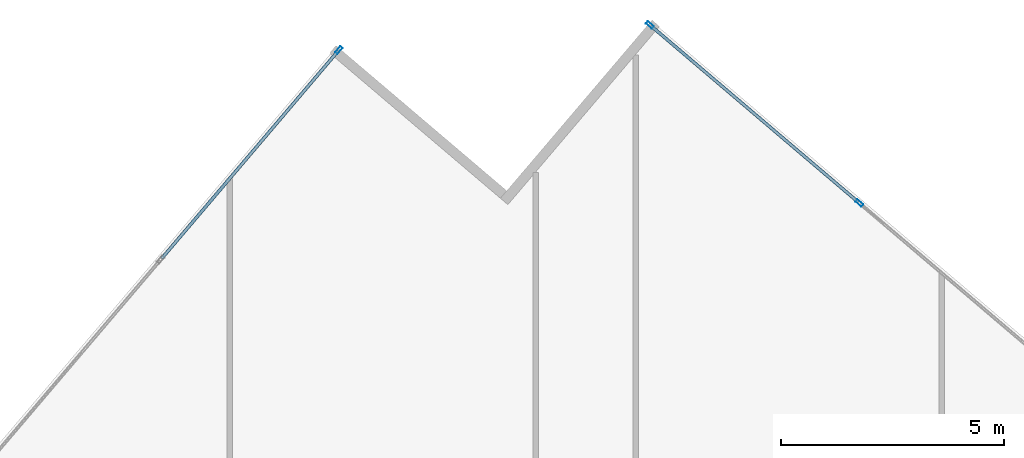
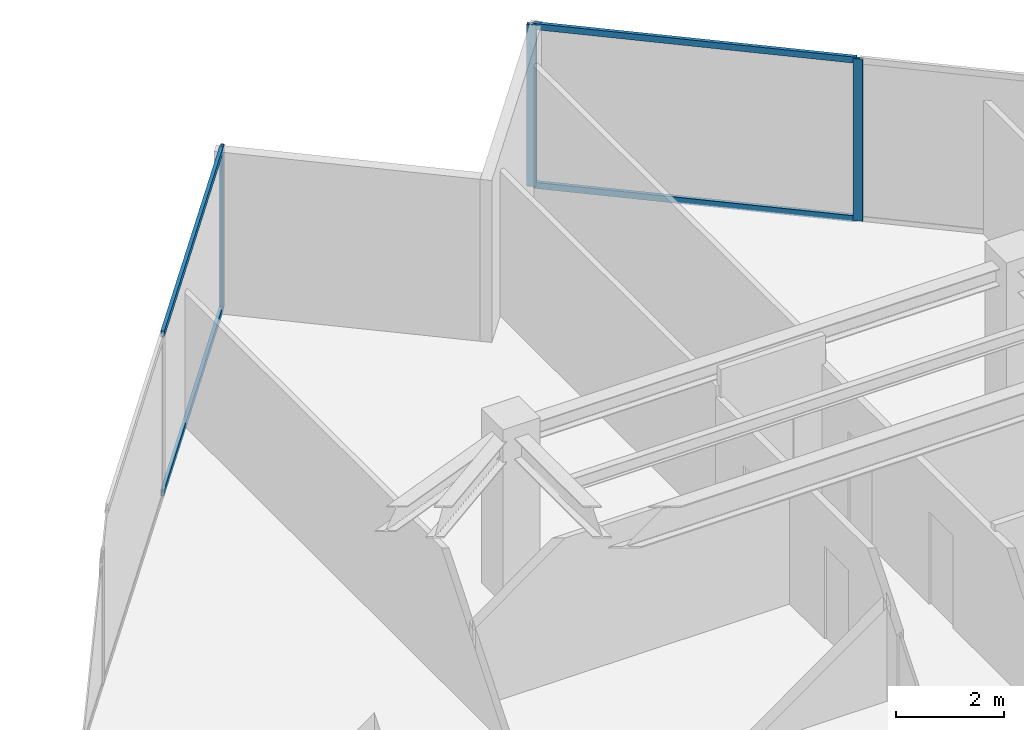
# One storey, part 18 of 25: 7 members, 2 elements without a shape of their own.
"""IFC4 building model written with IfcOpenShell, lengths in metres."""

import ifcopenshell
import ifcopenshell.guid

model = None  # the IFC model being written
_history = None  # IfcOwnerHistory: only IFC2X3 demands one
_inside = {}  # id of a spatial element -> (the spatial element, [elements in it])
_under = {}  # id of a project, library or spatial element -> (it, [spatial elements below it])
_declared = {}  # id of a project -> (the project, [libraries it declares])
_typed = {}  # id of a type object -> (the type object, [elements of that type])
_made_of = {}  # id of a material, layer set ... -> (it, [elements and type objects made of it])


def new_model(schema):
    """Start an empty IFC model of exactly this schema.

    Asked for "IFC4X3", IfcOpenShell would pick the latest addendum, in which some entities
    have other attributes; the version numbers below select the first issue.
    IFC2X3 requires an IfcOwnerHistory on every rooted entity: one is made here for all.
    """
    global model, _history
    if schema == "IFC4X3":
        model = ifcopenshell.file(schema_version=(4, 3, 0, 0))
    else:
        model = ifcopenshell.file(schema=schema)
    _inside.clear()
    _under.clear()
    _declared.clear()
    _typed.clear()
    _made_of.clear()
    _history = None
    if model.schema == "IFC2X3":
        org = make("IfcOrganization", Name="unknown")
        user = make(
            "IfcPersonAndOrganization",
            ThePerson=make("IfcPerson", FamilyName="unknown"),
            TheOrganization=org,
        )
        app = make(
            "IfcApplication",
            ApplicationDeveloper=org,
            Version="unknown",
            ApplicationFullName="unknown",
            ApplicationIdentifier="unknown",
        )
        _history = make(
            "IfcOwnerHistory",
            OwningUser=user,
            OwningApplication=app,
            ChangeAction="ADDED",
            CreationDate=0,
        )
    return model


def make(cls, **values):
    """One entity of the class cls with the attributes given. An attribute that is None is left unset."""
    return model.create_entity(
        cls, **{name: value for name, value in values.items() if value is not None}
    )


def rooted(cls, **values):
    """An entity with a GlobalId (a new one), such as an element, a storey or a relation."""
    return make(cls, GlobalId=ifcopenshell.guid.new(), OwnerHistory=_history, **values)


def si_unit(unit_type, name, prefix=None):
    """IfcSIUnit, for example si_unit("LENGTHUNIT", "METRE", prefix="MILLI")."""
    return make("IfcSIUnit", UnitType=unit_type, Prefix=prefix, Name=name)


def assignment(units):
    """IfcUnitAssignment: the units of a project."""
    return None if units is None else make("IfcUnitAssignment", Units=units)


def point(xyz):
    """IfcCartesianPoint."""
    return None if xyz is None else make("IfcCartesianPoint", Coordinates=xyz)


def direction(xyz):
    """IfcDirection."""
    return None if xyz is None else make("IfcDirection", DirectionRatios=xyz)


def frame(location, z_axis=None, x_axis=None):
    """IfcAxis2Placement3D, a coordinate frame: its origin and axes. An axis left out is left unset."""
    return make(
        "IfcAxis2Placement3D",
        Location=point(location),
        Axis=direction(z_axis),
        RefDirection=direction(x_axis),
    )


def frame_2d(location, x_axis=None):
    """IfcAxis2Placement2D, a coordinate frame in the plane: its origin and x axis."""
    return make(
        "IfcAxis2Placement2D", Location=point(location), RefDirection=direction(x_axis)
    )


def origin():
    """The frame at (0, 0, 0) with its axes left unset."""
    return frame((0.0, 0.0, 0.0))


def origin_2d():
    """The frame at (0, 0) in the plane with its x axis left unset."""
    return frame_2d((0.0, 0.0))


def place(relative_to, where):
    """IfcLocalPlacement: puts the frame where relative to a parent placement (None: the world)."""
    return make(
        "IfcLocalPlacement", PlacementRelTo=relative_to, RelativePlacement=where
    )


def context(
    kind, dimensions, precision=None, world=None, true_north=None, identifier=None
):
    """IfcGeometricRepresentationContext, for example the 3D "Model" context."""
    return make(
        "IfcGeometricRepresentationContext",
        ContextIdentifier=identifier,
        ContextType=kind,
        CoordinateSpaceDimension=dimensions,
        Precision=precision,
        WorldCoordinateSystem=world,
        TrueNorth=true_north,
    )


def subcontext(parent, identifier, kind, view, scale=None):
    """IfcGeometricRepresentationSubContext, for example "Body" below "Model"."""
    return make(
        "IfcGeometricRepresentationSubContext",
        ContextIdentifier=identifier,
        ContextType=kind,
        ParentContext=parent,
        TargetScale=scale,
        TargetView=view,
    )


def project(units=None, contexts=None):
    """IfcProject with its units and contexts."""
    return rooted(
        "IfcProject",
        Name="project",
        RepresentationContexts=contexts,
        UnitsInContext=assignment(units),
    )


def spatial(cls, under=None, at=None, **own):
    """A site, building, storey or space (cls), placed at a placement, below another one or the project."""
    s = rooted(cls, ObjectPlacement=at, **own)
    if under is not None:
        _under.setdefault(under.id(), (under, []))[1].append(s)
    return s


def profile(cls, at=None, kind="AREA", **sizes):
    """A parametric profile (cls). Its sizes go by their IFC names, for example OverallWidth=200.0."""
    return make(cls, ProfileType=kind, Position=at, **sizes)


def hollow_rectangle(**sizes):
    """IfcRectangleHollowProfileDef."""
    return profile("IfcRectangleHollowProfileDef", **sizes)


def extrude(swept, where, along, depth):
    """IfcExtrudedAreaSolid: the profile swept, set in the frame where, extruded along a direction by depth."""
    return make(
        "IfcExtrudedAreaSolid",
        SweptArea=swept,
        Position=where,
        ExtrudedDirection=direction(along),
        Depth=depth,
    )


def shape(context_of_items, identifier, shape_type, items):
    """IfcShapeRepresentation: the items that make up one representation, for example the "Body"."""
    return make(
        "IfcShapeRepresentation",
        ContextOfItems=context_of_items,
        RepresentationIdentifier=identifier,
        RepresentationType=shape_type,
        Items=items,
    )


def source(mapping_origin, context_of_items, identifier, shape_type, items):
    """IfcRepresentationMap: a shape defined once, which mapped items show again and again."""
    return make(
        "IfcRepresentationMap",
        MappingOrigin=mapping_origin,
        MappedRepresentation=shape(context_of_items, identifier, shape_type, items),
    )


def transform(
    local_origin,
    x_axis=None,
    y_axis=None,
    z_axis=None,
    scale=None,
    scale2=None,
    scale3=None,
    uniform=True,
):
    """IfcCartesianTransformationOperator3D, or its non-uniform kind. x_axis, y_axis, z_axis: its Axis1, 2, 3."""
    if uniform:
        return make(
            "IfcCartesianTransformationOperator3D",
            Axis1=direction(x_axis),
            Axis2=direction(y_axis),
            LocalOrigin=point(local_origin),
            Scale=scale,
            Axis3=direction(z_axis),
        )
    return make(
        "IfcCartesianTransformationOperator3DnonUniform",
        Axis1=direction(x_axis),
        Axis2=direction(y_axis),
        LocalOrigin=point(local_origin),
        Scale=scale,
        Axis3=direction(z_axis),
        Scale2=scale2,
        Scale3=scale3,
    )


def mapped(mapping_source, mapping_target):
    """IfcMappedItem: shows the shape of a source again, moved by a transform."""
    return make(
        "IfcMappedItem", MappingSource=mapping_source, MappingTarget=mapping_target
    )


def material(Name=None, Category=None):
    """IfcMaterial."""
    return make("IfcMaterial", Name=Name, Category=Category)


def material_profile(
    of_material, cross_section, Name=None, Category=None, Priority=None
):
    """IfcMaterialProfile: a cross section and its material."""
    return make(
        "IfcMaterialProfile",
        Name=Name,
        Material=of_material,
        Profile=cross_section,
        Priority=Priority,
        Category=Category,
    )


def profile_set(profiles, Name=None, composite=None):
    """IfcMaterialProfileSet."""
    return make(
        "IfcMaterialProfileSet",
        Name=Name,
        MaterialProfiles=profiles,
        CompositeProfile=composite,
    )


def made_of(thing, what):
    """Note that an element or type object is made of a material, layer set ...; save() writes the relation."""
    if what is not None:
        _made_of.setdefault(what.id(), (what, []))[1].append(thing)
    return thing


def type_object(cls, material=None, **own):
    """A type object (cls), such as IfcWallType, which elements share."""
    return made_of(rooted(cls, **own), material)


def type_shapes(of_type, sources):
    """Give a type object the sources (RepresentationMaps) that its elements show as mapped items."""
    of_type.RepresentationMaps = sources


def element(
    cls,
    number,
    at=None,
    inside=None,
    cuts=None,
    type_object=None,
    material=None,
    context=None,
    identifier="Body",
    shape_type=None,
    held_by="IfcProductDefinitionShape",
    body=None,
    shapes=None,
    **own,
):
    """One element of the class cls, such as IfcWall. Its Tag is "e" and its number.

    at: its placement. inside: the storey or other place that contains it. cuts: it is an
    opening in that element (IfcRelVoidsElement). A single representation is given by context,
    identifier, shape_type and body (its items); several are given by shapes. held_by: the class
    of the entity that holds the representations. save() writes the other relations.
    """
    e = rooted(cls, Tag="e%d" % number, ObjectPlacement=at, **own)
    if body is not None:
        shapes = [shape(context, identifier, shape_type, body)]
    if shapes is not None:
        e.Representation = make(held_by, Representations=shapes)
    if inside is not None:
        _inside.setdefault(inside.id(), (inside, []))[1].append(e)
    if cuts is not None:
        rooted(
            "IfcRelVoidsElement", RelatingBuildingElement=cuts, RelatedOpeningElement=e
        )
    if type_object is not None:
        _typed.setdefault(type_object.id(), (type_object, []))[1].append(e)
    return made_of(e, material)


def aggregate(whole, parts):
    """IfcRelAggregates: a whole, such as a stair, and the parts it consists of."""
    return rooted("IfcRelAggregates", RelatingObject=whole, RelatedObjects=parts)


def save(model, path):
    """Write the relations noted so far, then the file.

    IfcRelAggregates (storeys below a building ...), IfcRelContainedInSpatialStructure (elements
    in a storey), IfcRelDefinesByType, IfcRelAssociatesMaterial and IfcRelDeclares: one each for
    every whole, place, type object, material and project.
    """
    for whole, parts in _under.values():
        aggregate(whole, parts)
    for where, things in _inside.values():
        rooted(
            "IfcRelContainedInSpatialStructure",
            RelatedElements=things,
            RelatingStructure=where,
        )
    for kind, things in _typed.values():
        rooted("IfcRelDefinesByType", RelatedObjects=things, RelatingType=kind)
    for what, things in _made_of.values():
        rooted("IfcRelAssociatesMaterial", RelatedObjects=things, RelatingMaterial=what)
    for by, libraries in _declared.values():
        rooted("IfcRelDeclares", RelatingContext=by, RelatedDefinitions=libraries)
    model.write(path)


model = new_model("IFC4")

# Units and contexts
model_context = context("Model", 3, precision=1e-05, world=origin(), true_north=direction((0.0, 1.0)))
body_context = subcontext(model_context, "Body", "Model", "MODEL_VIEW")
ifc_project = project(units=[si_unit("LENGTHUNIT", "METRE"), si_unit("AREAUNIT", "SQUARE_METRE"), si_unit("VOLUMEUNIT", "CUBIC_METRE"), si_unit("PLANEANGLEUNIT", "RADIAN"), si_unit("MASSUNIT", "GRAM", prefix="KILO")], contexts=[model_context])

# Site, building, storey
site_placement = place(None, origin())
site = spatial("IfcSite", under=ifc_project, at=site_placement, CompositionType="ELEMENT")
building_placement = place(site_placement, origin())
building = spatial("IfcBuilding", under=site, at=building_placement, Name="Krantzveldt Concourse Tower", CompositionType="ELEMENT")
storey_placement = place(building_placement, frame((0.0, 0.0, 211.25)))
storey = spatial("IfcBuildingStorey", under=building, at=storey_placement, Name="L51", CompositionType="ELEMENT", Elevation=211.25)

# Curtain wall, member
ifc_material = material(Name="Anodised aluminium 6063-T6", Category="aluminium")
curtain_wall_type = type_object("IfcCurtainWallType", Name="CW3", PredefinedType="USERDEFINED", material=ifc_material)
curtain_wall_1_placement = place(storey_placement, origin())
curtain_wall_1 = element("IfcCurtainWall", 1, at=curtain_wall_1_placement, inside=storey, type_object=curtain_wall_type, Name="CW-L51-F01", ObjectType="UNITISED CURTAIN WALL", PredefinedType="USERDEFINED")
ifc_material_profile_1 = material_profile(ifc_material, hollow_rectangle(XDim=0.070068359375, YDim=0.179931640625, WallThickness=0.0048828125, at=origin_2d()), Name="Anodised aluminium 6063-T6", Category="aluminium")
ifc_profile_set_1 = profile_set([ifc_material_profile_1], Name="Anodised aluminium 6063-T6 - ALU-MULL 180x70x5")
member_type_1 = type_object("IfcMemberType", Name="CW-MUL-180", PredefinedType="MULLION", material=ifc_profile_set_1)
shared_shape_1 = source(origin(), body_context, "Body", "SweptSolid", [
    extrude(hollow_rectangle(XDim=0.070068359375, YDim=0.179931640625, WallThickness=0.0048828125, at=origin_2d()), origin(), (0.0, 0.0, 1.0), 3.669921875),
])
type_shapes(member_type_1, [shared_shape_1])
member_1_placement = place(storey_placement, frame((30.46923828125, 51.702880859375, 0.0), z_axis=(0.0, 0.0, 1.0), x_axis=(0.761820912327, -0.647787694805, 0.0)))
member_1 = element("IfcMember", 2, at=member_1_placement, type_object=member_type_1, Name="CW-Z34 mullion 1", PredefinedType="MULLION", context=body_context, shape_type="MappedRepresentation", body=[
    mapped(shared_shape_1, transform((0.0, 0.0, 0.0), x_axis=(1.0, 0.0, 0.0), y_axis=(0.0, 1.0, 0.0), z_axis=(0.0, 0.0, 1.0), scale=1.0)),
])

# Curtain wall, members
curtain_wall_2_placement = place(storey_placement, origin())
curtain_wall_2 = element("IfcCurtainWall", 3, at=curtain_wall_2_placement, inside=storey, type_object=curtain_wall_type, Name="CW-L51-F10", ObjectType="UNITISED CURTAIN WALL", PredefinedType="USERDEFINED")
member_2_placement = place(storey_placement, frame((42.136474609375, 48.273193359375, 0.0), z_axis=(0.0, 0.0, 1.0), x_axis=(-0.647787694805, -0.761820912327, 0.0)))
member_2 = element("IfcMember", 4, at=member_2_placement, type_object=member_type_1, Name="CW-Z34 mullion 5", PredefinedType="MULLION", context=body_context, shape_type="MappedRepresentation", body=[
    mapped(shared_shape_1, transform((0.0, 0.0, 0.0), x_axis=(1.0, 0.0, 0.0), y_axis=(0.0, 1.0, 0.0), z_axis=(0.0, 0.0, 1.0), scale=1.0)),
])
member_3_placement = place(storey_placement, frame((37.439697265625, 52.266845703125, 0.0), z_axis=(0.0, 0.0, 1.0), x_axis=(-0.647787694805, -0.761820912327, 0.0)))
member_3 = element("IfcMember", 5, at=member_3_placement, type_object=member_type_1, Name="CW-Z34 mullion 6", PredefinedType="MULLION", context=body_context, shape_type="MappedRepresentation", body=[
    mapped(shared_shape_1, transform((0.0, 0.0, 0.0), x_axis=(1.0, 0.0, 0.0), y_axis=(0.0, 1.0, 0.0), z_axis=(0.0, 0.0, 1.0), scale=1.0)),
])

# Member
ifc_material_profile_2 = material_profile(ifc_material, hollow_rectangle(XDim=0.070068359375, YDim=0.139892578125, WallThickness=0.0048828125, at=origin_2d()), Name="Anodised aluminium 6063-T6", Category="aluminium")
ifc_profile_set_2 = profile_set([ifc_material_profile_2], Name="Anodised aluminium 6063-T6 - ALU-TRAN 140x70x5")
member_type_2 = type_object("IfcMemberType", Name="CW-TRN-150", PredefinedType="USERDEFINED", material=ifc_profile_set_2)
shared_shape_2 = source(origin(), body_context, "Body", "SweptSolid", [
    extrude(hollow_rectangle(XDim=0.070068359375, YDim=0.139892578125, WallThickness=0.0048828125, at=origin_2d()), origin(), (0.0, 0.0, 1.0), 6.094970703125),
])
type_shapes(member_type_2, [shared_shape_2])
member_4_placement = place(storey_placement, frame((30.446533203125, 51.67626953125, 0.034912109375), z_axis=(-0.64778444877, -0.761823672468, 0.0), x_axis=(0.761823672468, -0.64778444877, 0.0)))
member_4 = element("IfcMember", 6, at=member_4_placement, type_object=member_type_2, Name="CW-Z34 transom 1.1", ObjectType="TRANSOM", PredefinedType="USERDEFINED", context=body_context, shape_type="MappedRepresentation", body=[
    mapped(shared_shape_2, transform((0.0, 0.0, 0.0), x_axis=(1.0, 0.0, 0.0), y_axis=(0.0, 1.0, 0.0), z_axis=(0.0, 0.0, 1.0), scale=1.0)),
])

member_5_placement = place(storey_placement, frame((30.446533203125, 51.67626953125, 3.635009765625), z_axis=(-0.64778444877, -0.761823672468, 0.0), x_axis=(0.761823672468, -0.64778444877, 0.0)))
member_5 = element("IfcMember", 7, at=member_5_placement, type_object=member_type_2, Name="CW-Z34 transom 1.2", ObjectType="TRANSOM", PredefinedType="USERDEFINED", context=body_context, shape_type="MappedRepresentation", body=[
    mapped(shared_shape_2, transform((0.0, 0.0, 0.0), x_axis=(1.0, 0.0, 0.0), y_axis=(0.0, 1.0, 0.0), z_axis=(0.0, 0.0, 1.0), scale=1.0)),
])

aggregate(curtain_wall_1, [member_1, member_4, member_5])

member_6_placement = place(storey_placement, frame((42.10986328125, 48.2958984375, 0.034912109375), z_axis=(-0.761823672468, 0.64778444877, 0.0), x_axis=(-0.64778444877, -0.761823672468, 0.0)))
member_6 = element("IfcMember", 8, at=member_6_placement, type_object=member_type_2, Name="CW-Z34 transom 5.1", ObjectType="TRANSOM", PredefinedType="USERDEFINED", context=body_context, shape_type="MappedRepresentation", body=[
    mapped(shared_shape_2, transform((0.0, 0.0, 0.0), x_axis=(1.0, 0.0, 0.0), y_axis=(0.0, 1.0, 0.0), z_axis=(0.0, 0.0, 1.0), scale=1.0)),
])

member_7_placement = place(storey_placement, frame((42.10986328125, 48.2958984375, 3.635009765625), z_axis=(-0.761823672468, 0.64778444877, 0.0), x_axis=(-0.64778444877, -0.761823672468, 0.0)))
member_7 = element("IfcMember", 9, at=member_7_placement, type_object=member_type_2, Name="CW-Z34 transom 5.2", ObjectType="TRANSOM", PredefinedType="USERDEFINED", context=body_context, shape_type="MappedRepresentation", body=[
    mapped(shared_shape_2, transform((0.0, 0.0, 0.0), x_axis=(1.0, 0.0, 0.0), y_axis=(0.0, 1.0, 0.0), z_axis=(0.0, 0.0, 1.0), scale=1.0)),
])

aggregate(curtain_wall_2, [member_2, member_3, member_6, member_7])

save(model, "model.ifc")
